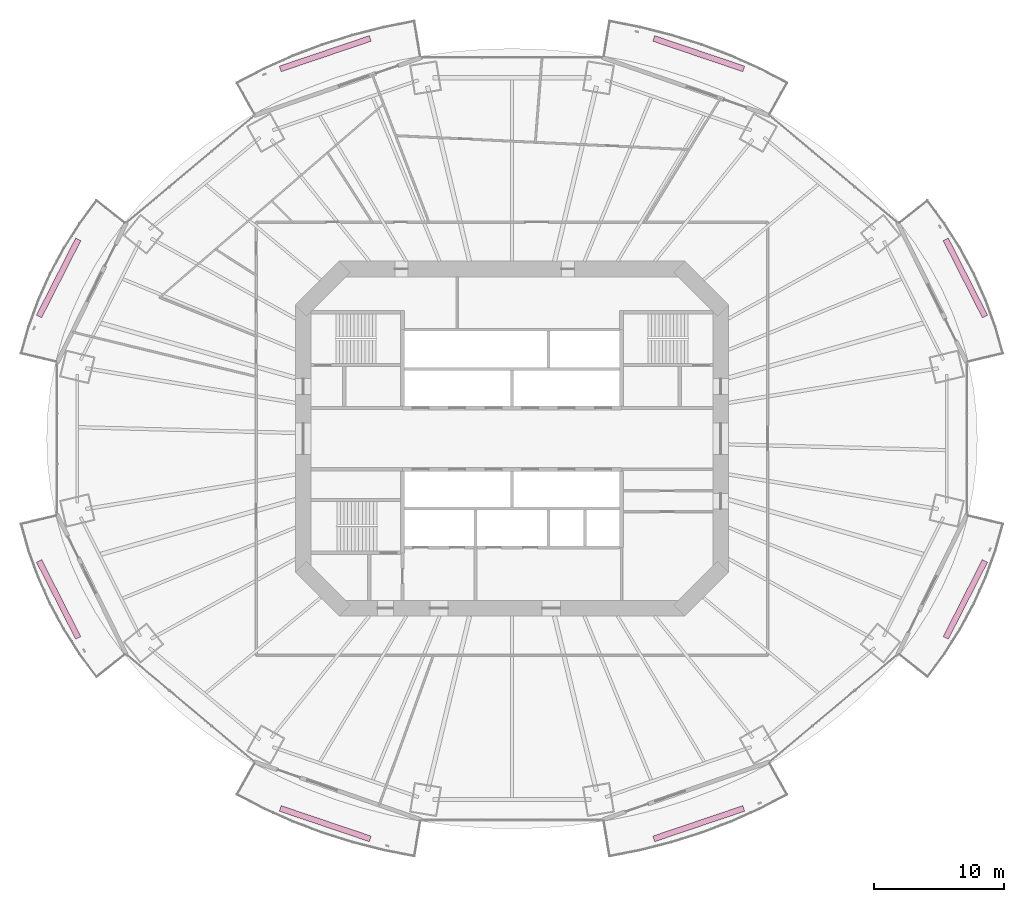
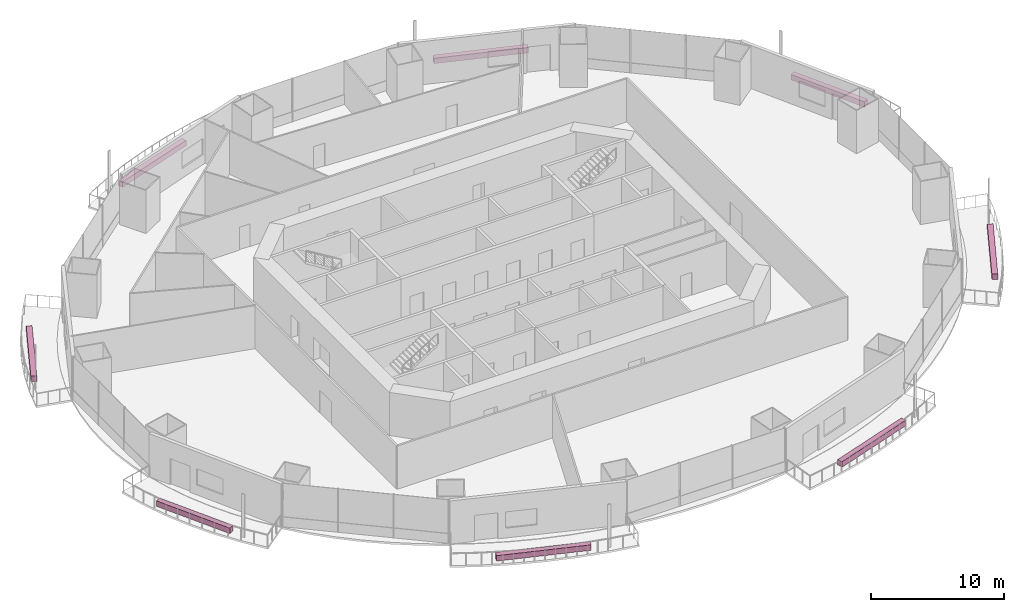
# One storey, part 22 of 22: 8 furnishings.
"""IFC4 building model written with IfcOpenShell, lengths in metres."""

from ifc_helpers import new_model, si_unit, direction, frame, origin, origin_2d, place, context, subcontext, project, spatial, rectangle, extrude, material, type_object, element, save


model = new_model("IFC4")

# Units and contexts
model_context = context("Model", 3, precision=1e-05, world=origin(), true_north=direction((0.0, 1.0)))
body_context = subcontext(model_context, "Body", "Model", "MODEL_VIEW")
ifc_project = project(units=[si_unit("LENGTHUNIT", "METRE"), si_unit("AREAUNIT", "SQUARE_METRE"), si_unit("VOLUMEUNIT", "CUBIC_METRE"), si_unit("PLANEANGLEUNIT", "RADIAN"), si_unit("MASSUNIT", "GRAM", prefix="KILO")], contexts=[model_context])

# Site, building, storey
site_placement = place(None, origin())
site = spatial("IfcSite", under=ifc_project, at=site_placement, CompositionType="ELEMENT")
building_placement = place(site_placement, origin())
building = spatial("IfcBuilding", under=site, at=building_placement, Name="Marenthal Gate Tower", CompositionType="ELEMENT")
storey_placement = place(building_placement, frame((0.0, 0.0, 74.5)))
storey = spatial("IfcBuildingStorey", under=building, at=storey_placement, Name="L14", CompositionType="ELEMENT", Elevation=74.5)

# Furnishings
ifc_material = material(Name="Planting soil and foliage", Category="planting")
furnishing_element_type = type_object("IfcFurnishingElementType", Name="Balcony PLANTER trough", material=ifc_material)
furnishing_1_placement = place(storey_placement, frame((34.75048828125, 12.319091796875, -0.0400390625), z_axis=(0.0, 0.0, 1.0), x_axis=(-0.453560882616, 0.891225294615, 0.0)))
element("IfcFurnishingElement", 1, at=furnishing_1_placement, inside=storey, type_object=furnishing_element_type, Name="Balcony PLANTER L14 bay 1", ObjectType="PLANTER", context=body_context, shape_type="SweptSolid", body=[
    extrude(rectangle(XDim=6.623046875, YDim=0.449951171875, at=origin_2d()), origin(), (0.0, 0.0, 1.0), 0.5),
])
for number, where, z_axis, x_axis, name in (
    (2, (14.31201171875, 29.51025390625, -0.0400390625), (0.0, 0.0, 1.0), (-0.947288641445, 0.320381381778, 0.0), "Balcony PLANTER L14 bay 3"),
    (3, (-14.31201171875, 29.51025390625, -0.0400390625), (0.0, 0.0, 1.0), (-0.947288641445, -0.320381381778, 0.0), "Balcony PLANTER L14 bay 5"),
):
    element("IfcFurnishingElement", number, at=place(storey_placement, frame(where, z_axis=z_axis, x_axis=x_axis)), inside=storey, type_object=furnishing_element_type, Name=name, ObjectType="PLANTER", context=body_context, shape_type="SweptSolid", body=[
        extrude(rectangle(XDim=7.287353515625, YDim=0.449951171875, at=origin_2d()), origin(), (0.0, 0.0, 1.0), 0.5),
    ])
for number, where, z_axis, x_axis, name in (
    (4, (-34.75048828125, 12.319091796875, -0.0400390625), (0.0, 0.0, 1.0), (-0.453560882616, -0.891225294615, 0.0), "Balcony PLANTER L14 bay 7"),
    (5, (-34.75048828125, -12.319091796875, -0.0400390625), (0.0, 0.0, 1.0), (0.453560882616, -0.891225294615, 0.0), "Balcony PLANTER L14 bay 9"),
):
    element("IfcFurnishingElement", number, at=place(storey_placement, frame(where, z_axis=z_axis, x_axis=x_axis)), inside=storey, type_object=furnishing_element_type, Name=name, ObjectType="PLANTER", context=body_context, shape_type="SweptSolid", body=[
        extrude(rectangle(XDim=6.623046875, YDim=0.449951171875, at=origin_2d()), origin(), (0.0, 0.0, 1.0), 0.5),
    ])
for number, where, z_axis, x_axis, name in (
    (6, (-14.31201171875, -29.51025390625, -0.0400390625), (0.0, 0.0, 1.0), (0.947288641445, -0.320381381778, 0.0), "Balcony PLANTER L14 bay 11"),
    (7, (14.31201171875, -29.51025390625, -0.0400390625), (0.0, 0.0, 1.0), (0.947288641445, 0.320381381778, 0.0), "Balcony PLANTER L14 bay 13"),
):
    element("IfcFurnishingElement", number, at=place(storey_placement, frame(where, z_axis=z_axis, x_axis=x_axis)), inside=storey, type_object=furnishing_element_type, Name=name, ObjectType="PLANTER", context=body_context, shape_type="SweptSolid", body=[
        extrude(rectangle(XDim=7.287353515625, YDim=0.449951171875, at=origin_2d()), origin(), (0.0, 0.0, 1.0), 0.5),
    ])
furnishing_2_placement = place(storey_placement, frame((34.75048828125, -12.319091796875, -0.0400390625), z_axis=(0.0, 0.0, 1.0), x_axis=(0.453560882616, 0.891225294615, 0.0)))
element("IfcFurnishingElement", 8, at=furnishing_2_placement, inside=storey, type_object=furnishing_element_type, Name="Balcony PLANTER L14 bay 15", ObjectType="PLANTER", context=body_context, shape_type="SweptSolid", body=[
    extrude(rectangle(XDim=6.623046875, YDim=0.449951171875, at=origin_2d()), origin(), (0.0, 0.0, 1.0), 0.5),
])

save(model, "model.ifc")
